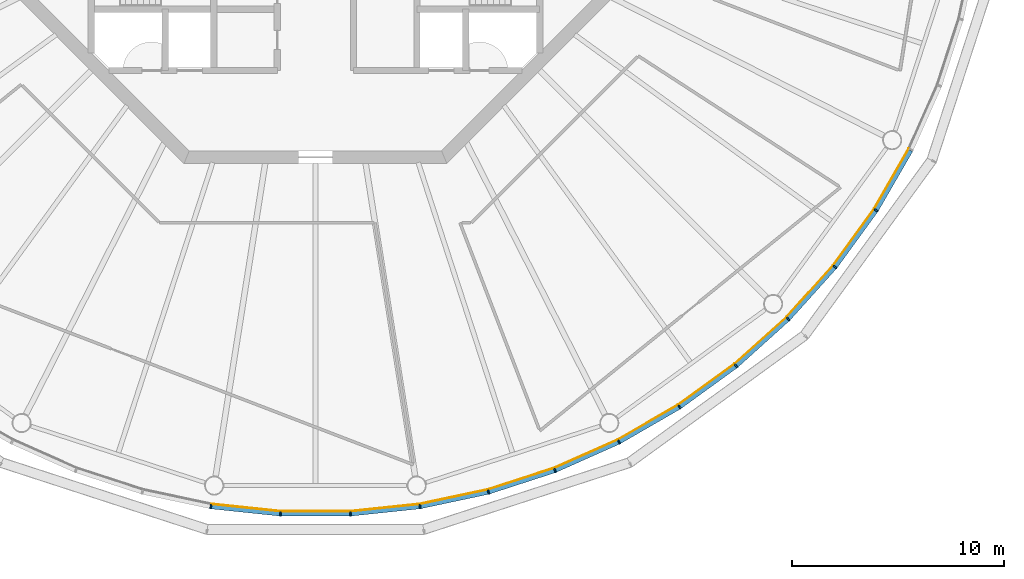
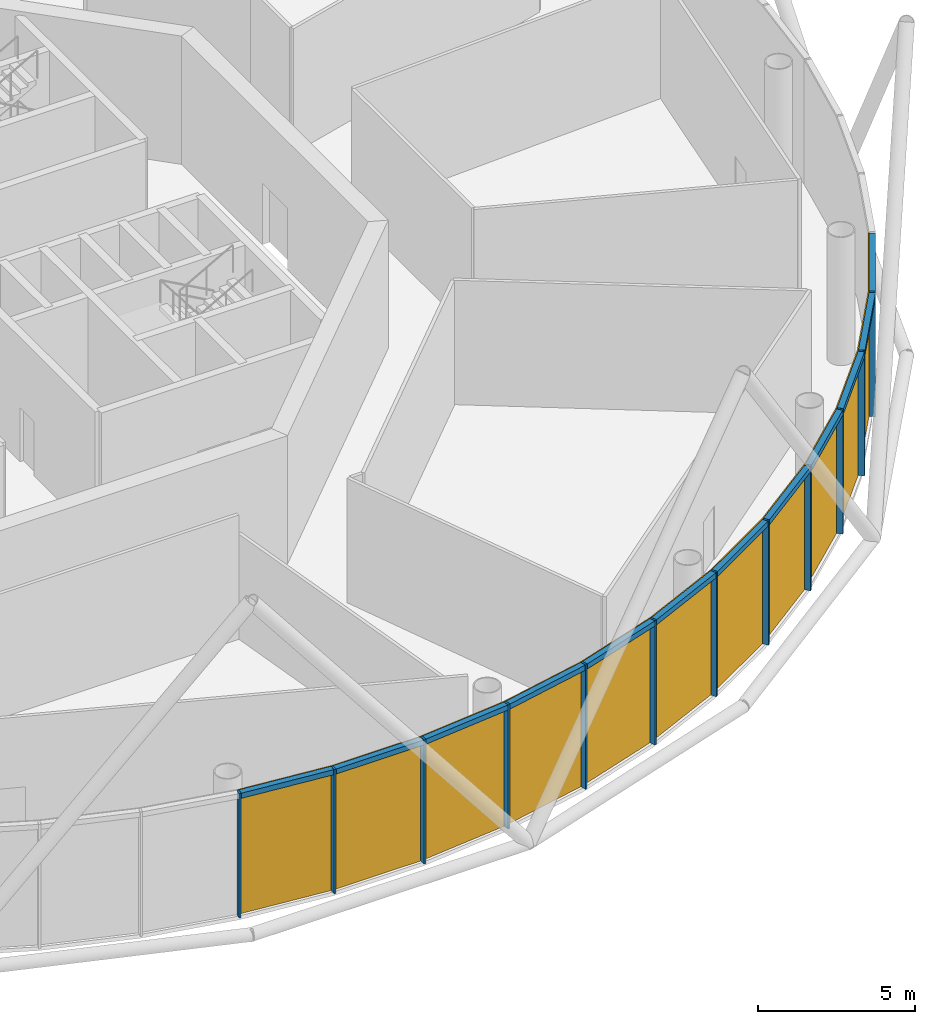
# One storey, part 8 of 13: 24 members, 4 curtain walls.
"""IFC4 building model written with IfcOpenShell, lengths in metres."""

from ifc_helpers import new_model, si_unit, direction, frame, origin, origin_2d, place, context, subcontext, project, spatial, polyline, rectangle, outline, extrude, material, layer, layer_set, material_profile, profile_set, type_object, element, aggregate, save


model = new_model("IFC4")

# Units and contexts
model_context = context("Model", 3, precision=1e-05, world=origin(), true_north=direction((0.0, 1.0)))
body_context = subcontext(model_context, "Body", "Model", "MODEL_VIEW")
ifc_project = project(units=[si_unit("LENGTHUNIT", "METRE"), si_unit("AREAUNIT", "SQUARE_METRE"), si_unit("VOLUMEUNIT", "CUBIC_METRE"), si_unit("PLANEANGLEUNIT", "RADIAN"), si_unit("MASSUNIT", "GRAM", prefix="KILO")], contexts=[model_context])

# Member
ifc_material_1 = material(Name="Anodised aluminium", Category="aluminium")
ifc_material_profile_1 = material_profile(ifc_material_1, rectangle(XDim=0.070068359375, YDim=0.2099609375, at=origin_2d()), Name="Mullion 70 x 210 mm anodised aluminium")
ifc_profile_set_1 = profile_set([ifc_material_profile_1], Name="Anodised aluminium")
member_type_1 = type_object("IfcMemberType", Name="Mullion 70 x 210 mm anodised aluminium", PredefinedType="MULLION", material=ifc_profile_set_1)
site_placement = place(None, origin())
building_placement = place(site_placement, origin())
storey_placement = place(building_placement, frame((0.0, 0.0, 402.0)))
member_1_placement = place(storey_placement, frame((85.055908203125, 48.7841796875, 0.0), z_axis=(0.0, 0.0, 1.0), x_axis=(0.987688340595, -0.15643446504, 0.0)))
member_1 = element("IfcMember", 1, at=member_1_placement, type_object=member_type_1, Name="MULLION L92-42", PredefinedType="MULLION", context=body_context, shape_type="SweptSolid", body=[
    extrude(rectangle(XDim=0.070068359375, YDim=0.2099609375, at=origin_2d()), origin(), (0.0, 0.0, 1.0), 4.85009765625),
])

member_2_placement = place(storey_placement, frame((88.345947265625, 48.438232421875, 0.0), z_axis=(0.0, 0.0, 1.0), x_axis=(0.998629534755, -0.052335956243, 0.0)))
member_2 = element("IfcMember", 2, at=member_2_placement, type_object=member_type_1, Name="MULLION L92-43", PredefinedType="MULLION", context=body_context, shape_type="SweptSolid", body=[
    extrude(rectangle(XDim=0.070068359375, YDim=0.2099609375, at=origin_2d()), origin(), (0.0, 0.0, 1.0), 4.85009765625),
])

member_3_placement = place(storey_placement, frame((91.654052734375, 48.438232421875, 0.0), z_axis=(0.0, 0.0, 1.0), x_axis=(0.998629534755, 0.052335956243, 0.0)))
member_3 = element("IfcMember", 3, at=member_3_placement, type_object=member_type_1, Name="MULLION L92-44", PredefinedType="MULLION", context=body_context, shape_type="SweptSolid", body=[
    extrude(rectangle(XDim=0.070068359375, YDim=0.2099609375, at=origin_2d()), origin(), (0.0, 0.0, 1.0), 4.85009765625),
])

member_4_placement = place(storey_placement, frame((94.944091796875, 48.7841796875, 0.0), z_axis=(0.0, 0.0, 1.0), x_axis=(0.987688340595, 0.15643446504, 0.0)))
member_4 = element("IfcMember", 4, at=member_4_placement, type_object=member_type_1, Name="MULLION L92-45", PredefinedType="MULLION", context=body_context, shape_type="SweptSolid", body=[
    extrude(rectangle(XDim=0.070068359375, YDim=0.2099609375, at=origin_2d()), origin(), (0.0, 0.0, 1.0), 4.85009765625),
])

member_5_placement = place(storey_placement, frame((98.179931640625, 49.471923828125, 0.0), z_axis=(0.0, 0.0, 1.0), x_axis=(0.965925826289, 0.258819045103, 0.0)))
member_5 = element("IfcMember", 5, at=member_5_placement, type_object=member_type_1, Name="MULLION L92-46", PredefinedType="MULLION", context=body_context, shape_type="SweptSolid", body=[
    extrude(rectangle(XDim=0.070068359375, YDim=0.2099609375, at=origin_2d()), origin(), (0.0, 0.0, 1.0), 4.85009765625),
])

member_6_placement = place(storey_placement, frame((101.326171875, 50.494140625, 0.0), z_axis=(0.0, 0.0, 1.0), x_axis=(0.933580426497, 0.358367949545, 0.0)))
member_6 = element("IfcMember", 6, at=member_6_placement, type_object=member_type_1, Name="MULLION L92-47", PredefinedType="MULLION", context=body_context, shape_type="SweptSolid", body=[
    extrude(rectangle(XDim=0.070068359375, YDim=0.2099609375, at=origin_2d()), origin(), (0.0, 0.0, 1.0), 4.85009765625),
])

member_7_placement = place(storey_placement, frame((104.348388671875, 51.83984375, 0.0), z_axis=(0.0, 0.0, 1.0), x_axis=(0.891006524188, 0.45399049974, 0.0)))
member_7 = element("IfcMember", 7, at=member_7_placement, type_object=member_type_1, Name="MULLION L92-48", PredefinedType="MULLION", context=body_context, shape_type="SweptSolid", body=[
    extrude(rectangle(XDim=0.070068359375, YDim=0.2099609375, at=origin_2d()), origin(), (0.0, 0.0, 1.0), 4.85009765625),
])

member_8_placement = place(storey_placement, frame((107.21337890625, 53.493896484375, 0.0), z_axis=(0.0, 0.0, 1.0), x_axis=(0.838670567945, 0.544639035015, 0.0)))
member_8 = element("IfcMember", 8, at=member_8_placement, type_object=member_type_1, Name="MULLION L92-49", PredefinedType="MULLION", context=body_context, shape_type="SweptSolid", body=[
    extrude(rectangle(XDim=0.070068359375, YDim=0.2099609375, at=origin_2d()), origin(), (0.0, 0.0, 1.0), 4.85009765625),
])

member_9_placement = place(storey_placement, frame((109.8896484375, 55.438232421875, 0.0), z_axis=(0.0, 0.0, 1.0), x_axis=(0.777145961457, 0.62932039105, 0.0)))
member_9 = element("IfcMember", 9, at=member_9_placement, type_object=member_type_1, Name="MULLION L92-50", PredefinedType="MULLION", context=body_context, shape_type="SweptSolid", body=[
    extrude(rectangle(XDim=0.070068359375, YDim=0.2099609375, at=origin_2d()), origin(), (0.0, 0.0, 1.0), 4.85009765625),
])

member_10_placement = place(storey_placement, frame((112.34814453125, 57.65185546875, 0.0), z_axis=(0.0, 0.0, 1.0), x_axis=(0.707106781187, 0.707106781187, 0.0)))
member_10 = element("IfcMember", 10, at=member_10_placement, type_object=member_type_1, Name="MULLION L92-51", PredefinedType="MULLION", context=body_context, shape_type="SweptSolid", body=[
    extrude(rectangle(XDim=0.070068359375, YDim=0.2099609375, at=origin_2d()), origin(), (0.0, 0.0, 1.0), 4.85009765625),
])

member_11_placement = place(storey_placement, frame((114.561767578125, 60.1103515625, 0.0), z_axis=(0.0, 0.0, 1.0), x_axis=(0.62932039105, 0.777145961457, 0.0)))
member_11 = element("IfcMember", 11, at=member_11_placement, type_object=member_type_1, Name="MULLION L92-52", PredefinedType="MULLION", context=body_context, shape_type="SweptSolid", body=[
    extrude(rectangle(XDim=0.070068359375, YDim=0.2099609375, at=origin_2d()), origin(), (0.0, 0.0, 1.0), 4.85009765625),
])

member_12_placement = place(storey_placement, frame((116.506103515625, 62.78662109375, 0.0), z_axis=(0.0, 0.0, 1.0), x_axis=(0.544639035015, 0.838670567945, 0.0)))
member_12 = element("IfcMember", 12, at=member_12_placement, type_object=member_type_1, Name="MULLION L92-53", PredefinedType="MULLION", context=body_context, shape_type="SweptSolid", body=[
    extrude(rectangle(XDim=0.070068359375, YDim=0.2099609375, at=origin_2d()), origin(), (0.0, 0.0, 1.0), 4.85009765625),
])

ifc_material_2 = material(Name="Anodised aluminium", Category="aluminium")
ifc_material_profile_2 = material_profile(ifc_material_2, rectangle(XDim=0.2099609375, YDim=0.199951171875, at=origin_2d()), Name="Transom 200 x 210 mm anodised aluminium")
ifc_profile_set_2 = profile_set([ifc_material_profile_2], Name="Anodised aluminium")
member_type_2 = type_object("IfcMemberType", Name="Transom 200 x 210 mm anodised aluminium", PredefinedType="USERDEFINED", material=ifc_profile_set_2)
member_13_placement = place(storey_placement, frame((85.09619140625, 48.77978515625, 4.75), z_axis=(0.994519537956, -0.104550890115, 0.0), x_axis=(0.104550890115, 0.994519537956, 0.0)))
member_13 = element("IfcMember", 13, at=member_13_placement, type_object=member_type_2, Name="TRANSOM L92-42", ObjectType="TRANSOM", PredefinedType="USERDEFINED", context=body_context, shape_type="SweptSolid", body=[
    extrude(rectangle(XDim=0.2099609375, YDim=0.199951171875, at=origin_2d()), origin(), (0.0, 0.0, 1.0), 3.22705078125),
])

member_14_placement = place(storey_placement, frame((88.386474609375, 48.438232421875, 4.75), z_axis=(1.0, 0.0, 0.0), x_axis=(0.0, 1.0, 0.0)))
member_14 = element("IfcMember", 14, at=member_14_placement, type_object=member_type_2, Name="TRANSOM L92-43", ObjectType="TRANSOM", PredefinedType="USERDEFINED", context=body_context, shape_type="SweptSolid", body=[
    extrude(rectangle(XDim=0.2099609375, YDim=0.199951171875, at=origin_2d()), origin(), (0.0, 0.0, 1.0), 3.22705078125),
])

member_15_placement = place(storey_placement, frame((91.6943359375, 48.4423828125, 4.75), z_axis=(0.994519537956, 0.104550890115, 0.0), x_axis=(-0.104550890115, 0.994519537956, 0.0)))
member_15 = element("IfcMember", 15, at=member_15_placement, type_object=member_type_2, Name="TRANSOM L92-44", ObjectType="TRANSOM", PredefinedType="USERDEFINED", context=body_context, shape_type="SweptSolid", body=[
    extrude(rectangle(XDim=0.2099609375, YDim=0.199951171875, at=origin_2d()), origin(), (0.0, 0.0, 1.0), 3.22705078125),
])

member_16_placement = place(storey_placement, frame((94.983642578125, 48.79248046875, 4.75), z_axis=(0.978153082647, 0.207885898771, 0.0), x_axis=(-0.207885898771, 0.978153082647, 0.0)))
member_16 = element("IfcMember", 16, at=member_16_placement, type_object=member_type_2, Name="TRANSOM L92-45", ObjectType="TRANSOM", PredefinedType="USERDEFINED", context=body_context, shape_type="SweptSolid", body=[
    extrude(rectangle(XDim=0.2099609375, YDim=0.199951171875, at=origin_2d()), origin(), (0.0, 0.0, 1.0), 3.227294921875),
])

member_17_placement = place(storey_placement, frame((98.218505859375, 49.484375, 4.75), z_axis=(0.951076311148, 0.308956065441, 0.0), x_axis=(-0.308956065441, 0.951076311148, 0.0)))
member_17 = element("IfcMember", 17, at=member_17_placement, type_object=member_type_2, Name="TRANSOM L92-46", ObjectType="TRANSOM", PredefinedType="USERDEFINED", context=body_context, shape_type="SweptSolid", body=[
    extrude(rectangle(XDim=0.2099609375, YDim=0.199951171875, at=origin_2d()), origin(), (0.0, 0.0, 1.0), 3.227294921875),
])

member_18_placement = place(storey_placement, frame((101.36328125, 50.510498046875, 4.75), z_axis=(0.913533696574, 0.40676305784, 0.0), x_axis=(-0.40676305784, 0.913533696574, 0.0)))
member_18 = element("IfcMember", 18, at=member_18_placement, type_object=member_type_2, Name="TRANSOM L92-47", ObjectType="TRANSOM", PredefinedType="USERDEFINED", context=body_context, shape_type="SweptSolid", body=[
    extrude(rectangle(XDim=0.2099609375, YDim=0.199951171875, at=origin_2d()), origin(), (0.0, 0.0, 1.0), 3.227294921875),
])

member_19_placement = place(storey_placement, frame((104.383544921875, 51.85986328125, 4.75), z_axis=(0.866023062494, 0.500004055213, 0.0), x_axis=(-0.500004055213, 0.866023062494, 0.0)))
member_19 = element("IfcMember", 19, at=member_19_placement, type_object=member_type_2, Name="TRANSOM L92-48", ObjectType="TRANSOM", PredefinedType="USERDEFINED", context=body_context, shape_type="SweptSolid", body=[
    extrude(rectangle(XDim=0.2099609375, YDim=0.199951171875, at=origin_2d()), origin(), (0.0, 0.0, 1.0), 3.22705078125),
])

member_20_placement = place(storey_placement, frame((107.24609375, 53.517578125, 4.75), z_axis=(0.809040226492, 0.587753274698, 0.0), x_axis=(-0.587753274698, 0.809040226492, 0.0)))
member_20 = element("IfcMember", 20, at=member_20_placement, type_object=member_type_2, Name="TRANSOM L92-49", ObjectType="TRANSOM", PredefinedType="USERDEFINED", context=body_context, shape_type="SweptSolid", body=[
    extrude(rectangle(XDim=0.2099609375, YDim=0.199951171875, at=origin_2d()), origin(), (0.0, 0.0, 1.0), 3.22705078125),
])

member_21_placement = place(storey_placement, frame((109.919921875, 55.46533203125, 4.75), z_axis=(0.743132370743, 0.669144438484, 0.0), x_axis=(-0.669144438484, 0.743132370743, 0.0)))
member_21 = element("IfcMember", 21, at=member_21_placement, type_object=member_type_2, Name="TRANSOM L92-50", ObjectType="TRANSOM", PredefinedType="USERDEFINED", context=body_context, shape_type="SweptSolid", body=[
    extrude(rectangle(XDim=0.2099609375, YDim=0.199951171875, at=origin_2d()), origin(), (0.0, 0.0, 1.0), 3.22705078125),
])

member_22_placement = place(storey_placement, frame((112.375244140625, 57.681884765625, 4.75), z_axis=(0.669144438484, 0.743132370743, 0.0), x_axis=(-0.743132370743, 0.669144438484, 0.0)))
member_22 = element("IfcMember", 22, at=member_22_placement, type_object=member_type_2, Name="TRANSOM L92-51", ObjectType="TRANSOM", PredefinedType="USERDEFINED", context=body_context, shape_type="SweptSolid", body=[
    extrude(rectangle(XDim=0.2099609375, YDim=0.199951171875, at=origin_2d()), origin(), (0.0, 0.0, 1.0), 3.22705078125),
])

member_23_placement = place(storey_placement, frame((114.585693359375, 60.14306640625, 4.75), z_axis=(0.587753274698, 0.809040226492, 0.0), x_axis=(-0.809040226492, 0.587753274698, 0.0)))
member_23 = element("IfcMember", 23, at=member_23_placement, type_object=member_type_2, Name="TRANSOM L92-52", ObjectType="TRANSOM", PredefinedType="USERDEFINED", context=body_context, shape_type="SweptSolid", body=[
    extrude(rectangle(XDim=0.2099609375, YDim=0.199951171875, at=origin_2d()), origin(), (0.0, 0.0, 1.0), 3.22705078125),
])

member_24_placement = place(storey_placement, frame((116.526611328125, 62.82177734375, 4.75), z_axis=(0.500004055213, 0.866023062494, 0.0), x_axis=(-0.866023062494, 0.500004055213, 0.0)))
member_24 = element("IfcMember", 24, at=member_24_placement, type_object=member_type_2, Name="TRANSOM L92-53", ObjectType="TRANSOM", PredefinedType="USERDEFINED", context=body_context, shape_type="SweptSolid", body=[
    extrude(rectangle(XDim=0.2099609375, YDim=0.199951171875, at=origin_2d()), origin(), (0.0, 0.0, 1.0), 3.22705078125),
])

# Site, building, storey
site = spatial("IfcSite", under=ifc_project, at=site_placement, CompositionType="ELEMENT")
building = spatial("IfcBuilding", under=site, at=building_placement, Name="Entoto Ring Tower", CompositionType="ELEMENT")
storey = spatial("IfcBuildingStorey", under=building, at=storey_placement, Name="L92", CompositionType="ELEMENT", Elevation=402.0)

# Curtain wall
ifc_material_3 = material(Name="Clear low-iron glass", Category="glass")
ifc_layer = layer(ifc_material_3, 0.0380859375)
ifc_layer_set = layer_set([ifc_layer], Name="Clear low-iron glass")
curtain_wall_type = type_object("IfcCurtainWallType", Name="Curtain wall system CW10 glazing 38 mm", PredefinedType="NOTDEFINED", material=ifc_layer_set)
curtain_wall_1_placement = place(storey_placement, origin())
curtain_wall_1 = element("IfcCurtainWall", 25, at=curtain_wall_1_placement, inside=storey, type_object=curtain_wall_type, Name="CW10 L92-15", PredefinedType="NOTDEFINED", context=body_context, shape_type="SweptSolid", body=[
    extrude(outline(polyline([(85.072265625, 48.8876953125), (88.351318359375, 48.543212890625), (91.648681640625, 48.543212890625), (94.927734375, 48.8876953125), (94.921630859375, 48.92529296875), (91.646484375, 48.5810546875), (88.353515625, 48.5810546875), (85.078369140625, 48.92529296875), (85.072265625, 48.8876953125)])), origin(), (0.0, 0.0, 1.0), 4.85009765625),
])

aggregate(curtain_wall_1, [member_1, member_2, member_3, member_13, member_14, member_15])

curtain_wall_2_placement = place(storey_placement, origin())
curtain_wall_2 = element("IfcCurtainWall", 26, at=curtain_wall_2_placement, inside=storey, type_object=curtain_wall_type, Name="CW10 L92-16", PredefinedType="NOTDEFINED", context=body_context, shape_type="SweptSolid", body=[
    extrude(outline(polyline([(94.927734375, 48.8876953125), (98.15283203125, 49.5732421875), (101.28857421875, 50.59228515625), (104.30078125, 51.933349609375), (104.283447265625, 51.96728515625), (101.27490234375, 50.627685546875), (98.14306640625, 49.610107421875), (94.921630859375, 48.92529296875), (94.927734375, 48.8876953125)])), origin(), (0.0, 0.0, 1.0), 4.85009765625),
])

aggregate(curtain_wall_2, [member_4, member_5, member_6, member_16, member_17, member_18])

curtain_wall_3_placement = place(storey_placement, origin())
curtain_wall_3 = element("IfcCurtainWall", 27, at=curtain_wall_3_placement, inside=storey, type_object=curtain_wall_type, Name="CW10 L92-17", PredefinedType="NOTDEFINED", context=body_context, shape_type="SweptSolid", body=[
    extrude(outline(polyline([(104.30078125, 51.933349609375), (107.15625, 53.581787109375), (109.823486328125, 55.52001953125), (112.27392578125, 57.72607421875), (112.2470703125, 57.7529296875), (109.799560546875, 55.549560546875), (107.135498046875, 53.61376953125), (104.283447265625, 51.96728515625), (104.30078125, 51.933349609375)])), origin(), (0.0, 0.0, 1.0), 4.85009765625),
])

aggregate(curtain_wall_3, [member_7, member_8, member_9, member_19, member_20, member_21])

curtain_wall_4_placement = place(storey_placement, origin())
curtain_wall_4 = element("IfcCurtainWall", 28, at=curtain_wall_4_placement, inside=storey, type_object=curtain_wall_type, Name="CW10 L92-18", PredefinedType="NOTDEFINED", context=body_context, shape_type="SweptSolid", body=[
    extrude(outline(polyline([(112.27392578125, 57.72607421875), (114.47998046875, 60.176513671875), (116.418212890625, 62.84375), (118.066650390625, 65.69921875), (118.03271484375, 65.716552734375), (116.38623046875, 62.864501953125), (114.450439453125, 60.200439453125), (112.2470703125, 57.7529296875), (112.27392578125, 57.72607421875)])), origin(), (0.0, 0.0, 1.0), 4.85009765625),
])

aggregate(curtain_wall_4, [member_10, member_11, member_12, member_22, member_23, member_24])

save(model, "model.ifc")
